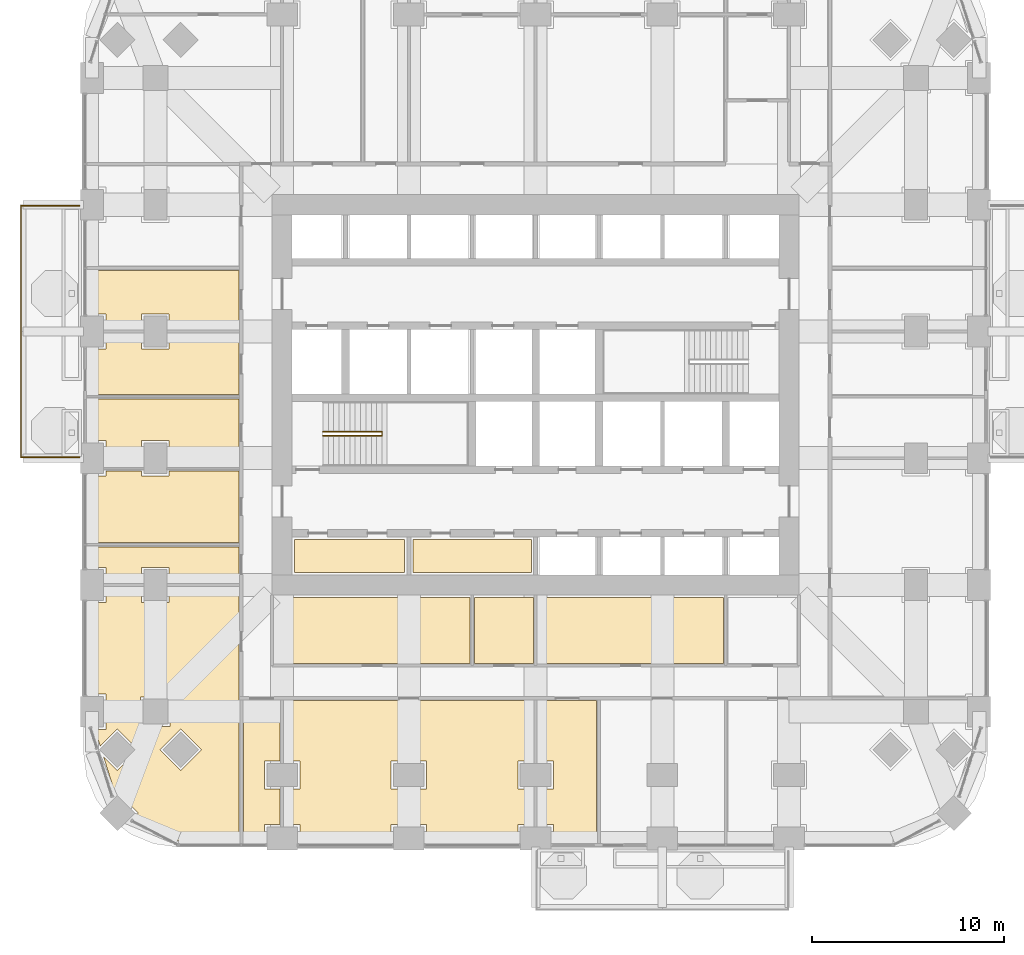
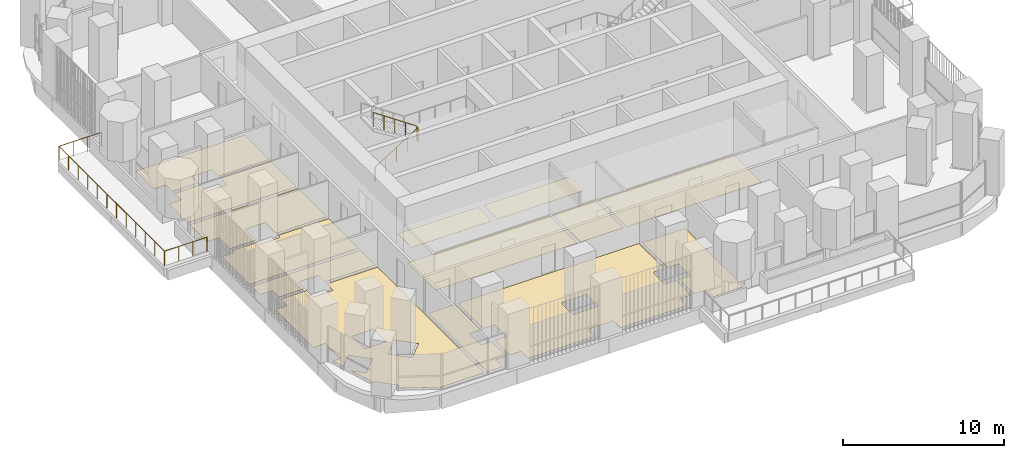
# One storey, part 19 of 23: 14 coverings, 2 railings.
"""IFC4 building model written with IfcOpenShell, lengths in metres."""

from ifc_helpers import new_model, si_unit, direction, frame, origin, place, context, subcontext, project, spatial, polyline, outline, extrude, material, layer, layer_set, type_object, element, save


model = new_model("IFC4")

# Units and contexts
model_context = context("Model", 3, precision=1e-05, world=origin(), true_north=direction((0.0, 1.0)))
body_context = subcontext(model_context, "Body", "Model", "MODEL_VIEW")
ifc_project = project(units=[si_unit("LENGTHUNIT", "METRE"), si_unit("AREAUNIT", "SQUARE_METRE"), si_unit("VOLUMEUNIT", "CUBIC_METRE"), si_unit("PLANEANGLEUNIT", "RADIAN"), si_unit("MASSUNIT", "GRAM", prefix="KILO")], contexts=[model_context])

# Site, building, storey
site_placement = place(None, origin())
site = spatial("IfcSite", under=ifc_project, at=site_placement, CompositionType="ELEMENT")
building_placement = place(site_placement, origin())
building = spatial("IfcBuilding", under=site, at=building_placement, Name="Cobogo Forest Laboratory Tower", CompositionType="ELEMENT")
storey_placement = place(building_placement, frame((0.0, 0.0, 103.199951171875)))
storey = spatial("IfcBuildingStorey", under=building, at=storey_placement, Name="L23", CompositionType="ELEMENT", Elevation=103.199951171875)

# Railing
ifc_material_1 = material(Name="Laminated glass balustrade", Category="glass")
railing_type_1 = type_object("IfcRailingType", Name="BG1 glass balustrade 1100", PredefinedType="GUARDRAIL", material=ifc_material_1)
railing_1_placement = place(storey_placement, frame((2.64990234375, 19.85009765625, 0.0)))
element("IfcRailing", 1, at=railing_1_placement, inside=storey, type_object=railing_type_1, Name="Balcony balustrade BAL-W1 L23", PredefinedType="GUARDRAIL", context=body_context, shape_type="SweptSolid", body=[
    extrude(outline(polyline([(0.022216796875, 0.00927734375), (0.00927734375, 0.022216796875), (-0.00927734375, 0.022216796875), (-0.022216796875, 0.00927734375), (-0.022216796875, -0.00927734375), (-0.00927734375, -0.022216796875), (0.00927734375, -0.022216796875), (0.022216796875, -0.00927734375), (0.022216796875, 0.00927734375)])), frame((0.0, 0.0, 1.077880859375), z_axis=(-1.0, 0.0, 0.0), x_axis=(0.0, -1.0, 0.0)), (0.0, 0.0, 1.0), 3.0498046875),
    extrude(outline(polyline([(0.022216796875, 0.00927734375), (0.00927734375, 0.022216796875), (-0.00927734375, 0.022216796875), (-0.022216796875, 0.00927734375), (-0.022216796875, -0.00927734375), (-0.00927734375, -0.022216796875), (0.00927734375, -0.022216796875), (0.022216796875, -0.00927734375), (0.022216796875, 0.00927734375)])), frame((-3.0498046875, 0.0, 1.077880859375), z_axis=(0.0, 1.0, 0.0), x_axis=(-1.0, 0.0, 0.0)), (0.0, 0.0, 1.0), 13.099853515625),
    extrude(outline(polyline([(0.022216796875, 0.00927734375), (0.00927734375, 0.022216796875), (-0.00927734375, 0.022216796875), (-0.022216796875, 0.00927734375), (-0.022216796875, -0.00927734375), (-0.00927734375, -0.022216796875), (0.00927734375, -0.022216796875), (0.022216796875, -0.00927734375), (0.022216796875, 0.00927734375)])), frame((-3.0498046875, 13.099853515625, 1.077880859375), z_axis=(1.0, 0.0, 0.0), x_axis=(0.0, 1.0, 0.0)), (0.0, 0.0, 1.0), 3.0498046875),
    extrude(outline(polyline([(0.019287109375, 0.008056640625), (0.008056640625, 0.019287109375), (-0.008056640625, 0.019287109375), (-0.019287109375, 0.008056640625), (-0.019287109375, -0.008056640625), (-0.008056640625, -0.019287109375), (0.008056640625, -0.019287109375), (0.019287109375, -0.008056640625), (0.019287109375, 0.008056640625)])), origin(), (0.0, 0.0, 1.0), 1.077880859375),
    extrude(outline(polyline([(0.019287109375, 0.008056640625), (0.008056640625, 0.019287109375), (-0.008056640625, 0.019287109375), (-0.019287109375, 0.008056640625), (-0.019287109375, -0.008056640625), (-0.008056640625, -0.019287109375), (0.008056640625, -0.019287109375), (0.019287109375, -0.008056640625), (0.019287109375, 0.008056640625)])), frame((-1.0166015625, 0.0, 0.0)), (0.0, 0.0, 1.0), 1.077880859375),
    extrude(outline(polyline([(0.019287109375, 0.008056640625), (0.008056640625, 0.019287109375), (-0.008056640625, 0.019287109375), (-0.019287109375, 0.008056640625), (-0.019287109375, -0.008056640625), (-0.008056640625, -0.019287109375), (0.008056640625, -0.019287109375), (0.019287109375, -0.008056640625), (0.019287109375, 0.008056640625)])), frame((-2.033203125, 0.0, 0.0)), (0.0, 0.0, 1.0), 1.077880859375),
    extrude(outline(polyline([(0.019287109375, 0.008056640625), (0.008056640625, 0.019287109375), (-0.008056640625, 0.019287109375), (-0.019287109375, 0.008056640625), (-0.019287109375, -0.008056640625), (-0.008056640625, -0.019287109375), (0.008056640625, -0.019287109375), (0.019287109375, -0.008056640625), (0.019287109375, 0.008056640625)])), frame((-3.0498046875, 0.0, 0.0)), (0.0, 0.0, 1.0), 1.077880859375),
    extrude(outline(polyline([(0.019287109375, 0.008056640625), (0.008056640625, 0.019287109375), (-0.008056640625, 0.019287109375), (-0.019287109375, 0.008056640625), (-0.019287109375, -0.008056640625), (-0.008056640625, -0.019287109375), (0.008056640625, -0.019287109375), (0.019287109375, -0.008056640625), (0.019287109375, 0.008056640625)])), frame((-3.0498046875, 1.19091796875, 0.0)), (0.0, 0.0, 1.0), 1.077880859375),
    extrude(outline(polyline([(0.019287109375, 0.008056640625), (0.008056640625, 0.019287109375), (-0.008056640625, 0.019287109375), (-0.019287109375, 0.008056640625), (-0.019287109375, -0.008056640625), (-0.008056640625, -0.019287109375), (0.008056640625, -0.019287109375), (0.019287109375, -0.008056640625), (0.019287109375, 0.008056640625)])), frame((-3.0498046875, 2.3818359375, 0.0)), (0.0, 0.0, 1.0), 1.077880859375),
    extrude(outline(polyline([(0.019287109375, 0.008056640625), (0.008056640625, 0.019287109375), (-0.008056640625, 0.019287109375), (-0.019287109375, 0.008056640625), (-0.019287109375, -0.008056640625), (-0.008056640625, -0.019287109375), (0.008056640625, -0.019287109375), (0.019287109375, -0.008056640625), (0.019287109375, 0.008056640625)])), frame((-3.0498046875, 3.57275390625, 0.0)), (0.0, 0.0, 1.0), 1.077880859375),
    extrude(outline(polyline([(0.019287109375, 0.008056640625), (0.008056640625, 0.019287109375), (-0.008056640625, 0.019287109375), (-0.019287109375, 0.008056640625), (-0.019287109375, -0.008056640625), (-0.008056640625, -0.019287109375), (0.008056640625, -0.019287109375), (0.019287109375, -0.008056640625), (0.019287109375, 0.008056640625)])), frame((-3.0498046875, 4.763671875, 0.0)), (0.0, 0.0, 1.0), 1.077880859375),
    extrude(outline(polyline([(0.019287109375, 0.008056640625), (0.008056640625, 0.019287109375), (-0.008056640625, 0.019287109375), (-0.019287109375, 0.008056640625), (-0.019287109375, -0.008056640625), (-0.008056640625, -0.019287109375), (0.008056640625, -0.019287109375), (0.019287109375, -0.008056640625), (0.019287109375, 0.008056640625)])), frame((-3.0498046875, 5.95458984375, 0.0)), (0.0, 0.0, 1.0), 1.077880859375),
    extrude(outline(polyline([(0.019287109375, 0.008056640625), (0.008056640625, 0.019287109375), (-0.008056640625, 0.019287109375), (-0.019287109375, 0.008056640625), (-0.019287109375, -0.008056640625), (-0.008056640625, -0.019287109375), (0.008056640625, -0.019287109375), (0.019287109375, -0.008056640625), (0.019287109375, 0.008056640625)])), frame((-3.0498046875, 7.145263671875, 0.0)), (0.0, 0.0, 1.0), 1.077880859375),
    extrude(outline(polyline([(0.019287109375, 0.008056640625), (0.008056640625, 0.019287109375), (-0.008056640625, 0.019287109375), (-0.019287109375, 0.008056640625), (-0.019287109375, -0.008056640625), (-0.008056640625, -0.019287109375), (0.008056640625, -0.019287109375), (0.019287109375, -0.008056640625), (0.019287109375, 0.008056640625)])), frame((-3.0498046875, 8.336181640625, 0.0)), (0.0, 0.0, 1.0), 1.077880859375),
    extrude(outline(polyline([(0.019287109375, 0.008056640625), (0.008056640625, 0.019287109375), (-0.008056640625, 0.019287109375), (-0.019287109375, 0.008056640625), (-0.019287109375, -0.008056640625), (-0.008056640625, -0.019287109375), (0.008056640625, -0.019287109375), (0.019287109375, -0.008056640625), (0.019287109375, 0.008056640625)])), frame((-3.0498046875, 9.527099609375, 0.0)), (0.0, 0.0, 1.0), 1.077880859375),
    extrude(outline(polyline([(0.019287109375, 0.008056640625), (0.008056640625, 0.019287109375), (-0.008056640625, 0.019287109375), (-0.019287109375, 0.008056640625), (-0.019287109375, -0.008056640625), (-0.008056640625, -0.019287109375), (0.008056640625, -0.019287109375), (0.019287109375, -0.008056640625), (0.019287109375, 0.008056640625)])), frame((-3.0498046875, 10.718017578125, 0.0)), (0.0, 0.0, 1.0), 1.077880859375),
    extrude(outline(polyline([(0.019287109375, 0.008056640625), (0.008056640625, 0.019287109375), (-0.008056640625, 0.019287109375), (-0.019287109375, 0.008056640625), (-0.019287109375, -0.008056640625), (-0.008056640625, -0.019287109375), (0.008056640625, -0.019287109375), (0.019287109375, -0.008056640625), (0.019287109375, 0.008056640625)])), frame((-3.0498046875, 11.908935546875, 0.0)), (0.0, 0.0, 1.0), 1.077880859375),
    extrude(outline(polyline([(0.019287109375, 0.008056640625), (0.008056640625, 0.019287109375), (-0.008056640625, 0.019287109375), (-0.019287109375, 0.008056640625), (-0.019287109375, -0.008056640625), (-0.008056640625, -0.019287109375), (0.008056640625, -0.019287109375), (0.019287109375, -0.008056640625), (0.019287109375, 0.008056640625)])), frame((-3.0498046875, 13.099853515625, 0.0)), (0.0, 0.0, 1.0), 1.077880859375),
    extrude(outline(polyline([(0.019287109375, 0.008056640625), (0.008056640625, 0.019287109375), (-0.008056640625, 0.019287109375), (-0.019287109375, 0.008056640625), (-0.019287109375, -0.008056640625), (-0.008056640625, -0.019287109375), (0.008056640625, -0.019287109375), (0.019287109375, -0.008056640625), (0.019287109375, 0.008056640625)])), frame((-2.033203125, 13.099853515625, 0.0)), (0.0, 0.0, 1.0), 1.077880859375),
    extrude(outline(polyline([(0.019287109375, 0.008056640625), (0.008056640625, 0.019287109375), (-0.008056640625, 0.019287109375), (-0.019287109375, 0.008056640625), (-0.019287109375, -0.008056640625), (-0.008056640625, -0.019287109375), (0.008056640625, -0.019287109375), (0.019287109375, -0.008056640625), (0.019287109375, 0.008056640625)])), frame((-1.0166015625, 13.099853515625, 0.0)), (0.0, 0.0, 1.0), 1.077880859375),
    extrude(outline(polyline([(0.019287109375, 0.008056640625), (0.008056640625, 0.019287109375), (-0.008056640625, 0.019287109375), (-0.019287109375, 0.008056640625), (-0.019287109375, -0.008056640625), (-0.008056640625, -0.019287109375), (0.008056640625, -0.019287109375), (0.019287109375, -0.008056640625), (0.019287109375, 0.008056640625)])), frame((0.0, 13.099853515625, 0.0)), (0.0, 0.0, 1.0), 1.077880859375),
])

# Coverings
ifc_material_2 = material(Name="Carpet tile on raised access floor", Category="flooring")
ifc_layer_1 = layer(ifc_material_2, 0.008056640625)
ifc_layer_set_1 = layer_set([ifc_layer_1], Name="CT1 carpet tile floor 8")
covering_type_1 = type_object("IfcCoveringType", Name="CT1 carpet tile floor 8", PredefinedType="FLOORING", material=ifc_layer_set_1)
covering_1_placement = place(storey_placement, origin())
element("IfcCovering", 2, at=covering_1_placement, inside=storey, type_object=covering_type_1, Name="Carpet floor L23-26", PredefinedType="FLOORING", context=body_context, shape_type="SweptSolid", body=[
    extrude(outline(polyline([(3.904052734375, 4.2431640625), (4.617919921875, 3.529052734375), (5.70703125, 4.617919921875), (4.617919921875, 5.70703125), (3.72412109375, 4.81298828125), (3.4501953125, 5.679931640625), (4.02001953125, 5.679931640625), (4.02001953125, 7.52001953125), (3.14990234375, 7.52001953125), (3.14990234375, 12.280029296875), (4.02001953125, 12.280029296875), (4.02001953125, 13.080078125), (5.8798828125, 13.080078125), (5.8798828125, 12.280029296875), (7.320068359375, 12.280029296875), (7.320068359375, 13.080078125), (10.955078125, 13.080078125), (10.955078125, -0.14990234375), (7.84912109375, -0.14990234375), (5.480712890625, 1.091552734375), (5.70703125, 1.318115234375), (4.617919921875, 2.406982421875), (4.51611328125, 2.304931640625), (3.904052734375, 4.2431640625)]), holes=[polyline([(6.8291015625, 4.617919921875), (7.91796875, 3.529052734375), (9.007080078125, 4.617919921875), (7.91796875, 5.70703125), (6.8291015625, 4.617919921875)]), polyline([(5.830078125, 7.3701171875), (5.830078125, 5.830078125), (7.3701171875, 5.830078125), (7.3701171875, 7.3701171875), (5.830078125, 7.3701171875)])]), origin(), (0.0, 0.0, 1.0), 0.008056640625),
])
covering_2_placement = place(storey_placement, origin())
element("IfcCovering", 3, at=covering_2_placement, inside=storey, type_object=covering_type_1, Name="Carpet floor L23-31", PredefinedType="FLOORING", context=body_context, shape_type="SweptSolid", body=[
    extrude(outline(polyline([(10.955078125, 26.52001953125), (7.320068359375, 26.52001953125), (7.320068359375, 27.320068359375), (5.8798828125, 27.320068359375), (5.8798828125, 26.52001953125), (4.02001953125, 26.52001953125), (4.02001953125, 27.320068359375), (3.14990234375, 27.320068359375), (3.14990234375, 29.580078125), (10.955078125, 29.580078125), (10.955078125, 26.52001953125)])), origin(), (0.0, 0.0, 1.0), 0.008056640625),
])
covering_3_placement = place(storey_placement, origin())
element("IfcCovering", 4, at=covering_3_placement, inside=storey, type_object=covering_type_1, Name="Carpet floor L23-41", PredefinedType="FLOORING", context=body_context, shape_type="SweptSolid", body=[
    extrude(outline(polyline([(26.179931640625, 13.844970703125), (20.02001953125, 13.844970703125), (20.02001953125, 15.580078125), (26.179931640625, 15.580078125), (26.179931640625, 13.844970703125)])), origin(), (0.0, 0.0, 1.0), 0.008056640625),
])

# Railing
ifc_material_3 = material(Name="Steel balustrade", Category="steel")
railing_type_2 = type_object("IfcRailingType", Name="GR stair guard 1100", PredefinedType="GUARDRAIL", material=ifc_material_3)
railing_2_placement = place(storey_placement, frame((15.324951171875, 20.969970703125, 0.175048828125)))
element("IfcRailing", 5, at=railing_2_placement, inside=storey, type_object=railing_type_2, Name="Stair guard ST1 L23", PredefinedType="GUARDRAIL", context=body_context, shape_type="SweptSolid", body=[
    extrude(outline(polyline([(0.022216796875, 0.00927734375), (0.00927734375, 0.022216796875), (-0.00927734375, 0.022216796875), (-0.022216796875, 0.00927734375), (-0.022216796875, -0.00927734375), (-0.00927734375, -0.022216796875), (0.00927734375, -0.022216796875), (0.022216796875, -0.00927734375), (0.022216796875, 0.00927734375)])), frame((0.0, 0.0, 1.077880859375), z_axis=(0.847998304005, 0.0, 0.529998940003), x_axis=(0.0, 1.0, 0.0)), (0.0, 0.0, 1.0), 3.632080078125),
    extrude(outline(polyline([(0.022216796875, 0.00927734375), (0.00927734375, 0.022216796875), (-0.00927734375, 0.022216796875), (-0.022216796875, 0.00927734375), (-0.022216796875, -0.00927734375), (-0.00927734375, -0.022216796875), (0.00927734375, -0.022216796875), (0.022216796875, -0.00927734375), (0.022216796875, 0.00927734375)])), frame((3.080078125, 0.0, 3.0029296875), z_axis=(0.0, 1.0, 0.0), x_axis=(-1.0, 0.0, 0.0)), (0.0, 0.0, 1.0), 0.2099609375),
    extrude(outline(polyline([(0.022216796875, 0.00927734375), (0.00927734375, 0.022216796875), (-0.00927734375, 0.022216796875), (-0.022216796875, 0.00927734375), (-0.022216796875, -0.00927734375), (-0.00927734375, -0.022216796875), (0.00927734375, -0.022216796875), (0.022216796875, -0.00927734375), (0.022216796875, 0.00927734375)])), frame((3.080078125, 0.2099609375, 3.0029296875), z_axis=(-0.826252282691, 0.0, 0.563300244406), x_axis=(0.0, -1.0, 0.0)), (0.0, 0.0, 1.0), 3.727783203125),
    extrude(outline(polyline([(0.019287109375, 0.008056640625), (0.008056640625, 0.019287109375), (-0.008056640625, 0.019287109375), (-0.019287109375, 0.008056640625), (-0.019287109375, -0.008056640625), (-0.008056640625, -0.019287109375), (0.008056640625, -0.019287109375), (0.019287109375, -0.008056640625), (0.019287109375, 0.008056640625)])), origin(), (0.0, 0.0, 1.0), 1.077880859375),
    extrude(outline(polyline([(0.019287109375, 0.008056640625), (0.008056640625, 0.019287109375), (-0.008056640625, 0.019287109375), (-0.019287109375, 0.008056640625), (-0.019287109375, -0.008056640625), (-0.008056640625, -0.019287109375), (0.008056640625, -0.019287109375), (0.019287109375, -0.008056640625), (0.019287109375, 0.008056640625)])), frame((0.77001953125, 0.0, 0.481201171875)), (0.0, 0.0, 1.0), 1.077880859375),
    extrude(outline(polyline([(0.019287109375, 0.008056640625), (0.008056640625, 0.019287109375), (-0.008056640625, 0.019287109375), (-0.019287109375, 0.008056640625), (-0.019287109375, -0.008056640625), (-0.008056640625, -0.019287109375), (0.008056640625, -0.019287109375), (0.019287109375, -0.008056640625), (0.019287109375, 0.008056640625)])), frame((1.5400390625, 0.0, 0.96240234375)), (0.0, 0.0, 1.0), 1.077880859375),
    extrude(outline(polyline([(0.019287109375, 0.008056640625), (0.008056640625, 0.019287109375), (-0.008056640625, 0.019287109375), (-0.019287109375, 0.008056640625), (-0.019287109375, -0.008056640625), (-0.008056640625, -0.019287109375), (0.008056640625, -0.019287109375), (0.019287109375, -0.008056640625), (0.019287109375, 0.008056640625)])), frame((2.31005859375, 0.0, 1.44384765625)), (0.0, 0.0, 1.0), 1.077880859375),
    extrude(outline(polyline([(0.019287109375, 0.008056640625), (0.008056640625, 0.019287109375), (-0.008056640625, 0.019287109375), (-0.019287109375, 0.008056640625), (-0.019287109375, -0.008056640625), (-0.008056640625, -0.019287109375), (0.008056640625, -0.019287109375), (0.019287109375, -0.008056640625), (0.019287109375, 0.008056640625)])), frame((3.080078125, 0.0, 1.925048828125)), (0.0, 0.0, 1.0), 1.077880859375),
    extrude(outline(polyline([(0.019287109375, 0.008056640625), (0.008056640625, 0.019287109375), (-0.008056640625, 0.019287109375), (-0.019287109375, 0.008056640625), (-0.019287109375, -0.008056640625), (-0.008056640625, -0.019287109375), (0.008056640625, -0.019287109375), (0.019287109375, -0.008056640625), (0.019287109375, 0.008056640625)])), frame((3.080078125, 0.2099609375, 1.925048828125)), (0.0, 0.0, 1.0), 1.077880859375),
    extrude(outline(polyline([(0.019287109375, 0.008056640625), (0.008056640625, 0.019287109375), (-0.008056640625, 0.019287109375), (-0.019287109375, 0.008056640625), (-0.019287109375, -0.008056640625), (-0.008056640625, -0.019287109375), (0.008056640625, -0.019287109375), (0.019287109375, -0.008056640625), (0.019287109375, 0.008056640625)])), frame((2.31005859375, 0.2099609375, 2.449951171875)), (0.0, 0.0, 1.0), 1.077880859375),
    extrude(outline(polyline([(0.019287109375, 0.008056640625), (0.008056640625, 0.019287109375), (-0.008056640625, 0.019287109375), (-0.019287109375, 0.008056640625), (-0.019287109375, -0.008056640625), (-0.008056640625, -0.019287109375), (0.008056640625, -0.019287109375), (0.019287109375, -0.008056640625), (0.019287109375, 0.008056640625)])), frame((1.5400390625, 0.2099609375, 2.97509765625)), (0.0, 0.0, 1.0), 1.077880859375),
    extrude(outline(polyline([(0.019287109375, 0.008056640625), (0.008056640625, 0.019287109375), (-0.008056640625, 0.019287109375), (-0.019287109375, 0.008056640625), (-0.019287109375, -0.008056640625), (-0.008056640625, -0.019287109375), (0.008056640625, -0.019287109375), (0.019287109375, -0.008056640625), (0.019287109375, 0.008056640625)])), frame((0.77001953125, 0.2099609375, 3.5)), (0.0, 0.0, 1.0), 1.077880859375),
    extrude(outline(polyline([(0.019287109375, 0.008056640625), (0.008056640625, 0.019287109375), (-0.008056640625, 0.019287109375), (-0.019287109375, 0.008056640625), (-0.019287109375, -0.008056640625), (-0.008056640625, -0.019287109375), (0.008056640625, -0.019287109375), (0.019287109375, -0.008056640625), (0.019287109375, 0.008056640625)])), frame((0.0, 0.2099609375, 4.02490234375)), (0.0, 0.0, 1.0), 1.077880859375),
])

# Coverings
ifc_material_4 = material(Name="Epoxy resin flooring", Category="flooring")
ifc_layer_2 = layer(ifc_material_4, 0.00390625)
ifc_layer_set_2 = layer_set([ifc_layer_2], Name="LF1 epoxy laboratory floor 4")
covering_type_2 = type_object("IfcCoveringType", Name="LF1 epoxy laboratory floor 4", PredefinedType="FLOORING", material=ifc_layer_set_2)
covering_4_placement = place(storey_placement, origin())
element("IfcCovering", 6, at=covering_4_placement, inside=storey, type_object=covering_type_2, Name="Epoxy laboratory floor L23-01", PredefinedType="FLOORING", context=body_context, shape_type="SweptSolid", body=[
    extrude(outline(polyline([(22.97998046875, 9.1201171875), (12.794921875, 9.1201171875), (12.794921875, 12.554931640625), (22.97998046875, 12.554931640625), (22.97998046875, 9.1201171875)])), origin(), (0.0, 0.0, 1.0), 0.004150390625),
])
covering_5_placement = place(storey_placement, origin())
element("IfcCovering", 7, at=covering_5_placement, inside=storey, type_object=covering_type_2, Name="Epoxy laboratory floor L23-03", PredefinedType="FLOORING", context=body_context, shape_type="SweptSolid", body=[
    extrude(outline(polyline([(36.179931640625, 9.1201171875), (26.52001953125, 9.1201171875), (26.52001953125, 12.554931640625), (36.179931640625, 12.554931640625), (36.179931640625, 9.1201171875)])), origin(), (0.0, 0.0, 1.0), 0.004150390625),
])
covering_6_placement = place(storey_placement, origin())
element("IfcCovering", 8, at=covering_6_placement, inside=storey, type_object=covering_type_2, Name="Epoxy laboratory floor L23-05", PredefinedType="FLOORING", context=body_context, shape_type="SweptSolid", body=[
    extrude(outline(polyline([(13.080078125, 7.179931640625), (13.080078125, 4.02001953125), (12.280029296875, 4.02001953125), (12.280029296875, 2.580078125), (13.080078125, 2.580078125), (13.080078125, 0.719970703125), (12.280029296875, 0.719970703125), (12.280029296875, -0.14990234375), (11.195068359375, -0.14990234375), (11.195068359375, 7.179931640625), (13.080078125, 7.179931640625)])), origin(), (0.0, 0.0, 1.0), 0.004150390625),
])
covering_7_placement = place(storey_placement, origin())
element("IfcCovering", 9, at=covering_7_placement, inside=storey, type_object=covering_type_2, Name="Epoxy laboratory floor L23-06", PredefinedType="FLOORING", context=body_context, shape_type="SweptSolid", body=[
    extrude(outline(polyline([(26.280029296875, 7.179931640625), (26.280029296875, 4.02001953125), (25.47998046875, 4.02001953125), (25.47998046875, 2.580078125), (26.280029296875, 2.580078125), (26.280029296875, 0.719970703125), (25.47998046875, 0.719970703125), (25.47998046875, -0.14990234375), (20.719970703125, -0.14990234375), (20.719970703125, 0.719970703125), (18.8798828125, 0.719970703125), (18.8798828125, -0.14990234375), (14.1201171875, -0.14990234375), (14.1201171875, 0.719970703125), (13.320068359375, 0.719970703125), (13.320068359375, 2.580078125), (14.1201171875, 2.580078125), (14.1201171875, 4.02001953125), (13.320068359375, 4.02001953125), (13.320068359375, 7.179931640625), (26.280029296875, 7.179931640625)]), holes=[polyline([(18.8798828125, 4.02001953125), (18.8798828125, 2.580078125), (20.719970703125, 2.580078125), (20.719970703125, 4.02001953125), (18.8798828125, 4.02001953125)])]), origin(), (0.0, 0.0, 1.0), 0.004150390625),
])
covering_8_placement = place(storey_placement, origin())
element("IfcCovering", 10, at=covering_8_placement, inside=storey, type_object=covering_type_2, Name="Epoxy laboratory floor L23-07", PredefinedType="FLOORING", context=body_context, shape_type="SweptSolid", body=[
    extrude(outline(polyline([(29.580078125, 7.179931640625), (29.580078125, -0.14990234375), (27.320068359375, -0.14990234375), (27.320068359375, 0.719970703125), (26.52001953125, 0.719970703125), (26.52001953125, 2.580078125), (27.320068359375, 2.580078125), (27.320068359375, 4.02001953125), (26.52001953125, 4.02001953125), (26.52001953125, 7.179931640625), (29.580078125, 7.179931640625)])), origin(), (0.0, 0.0, 1.0), 0.004150390625),
])
ifc_material_5 = material(Name="Ceramic floor tile", Category="flooring")
ifc_layer_3 = layer(ifc_material_5, 0.010009765625)
ifc_layer_set_3 = layer_set([ifc_layer_3], Name="TF1 ceramic tile floor 10")
covering_type_3 = type_object("IfcCoveringType", Name="TF1 ceramic tile floor 10", PredefinedType="FLOORING", material=ifc_layer_set_3)
covering_9_placement = place(storey_placement, origin())
element("IfcCovering", 11, at=covering_9_placement, inside=storey, type_object=covering_type_3, Name="Tile floor L23-02", PredefinedType="FLOORING", context=body_context, shape_type="SweptSolid", body=[
    extrude(outline(polyline([(26.280029296875, 9.1201171875), (23.219970703125, 9.1201171875), (23.219970703125, 12.554931640625), (26.280029296875, 12.554931640625), (26.280029296875, 9.1201171875)])), origin(), (0.0, 0.0, 1.0), 0.010009765625),
])
covering_10_placement = place(storey_placement, origin())
element("IfcCovering", 12, at=covering_10_placement, inside=storey, type_object=covering_type_3, Name="Tile floor L23-27", PredefinedType="FLOORING", context=body_context, shape_type="SweptSolid", body=[
    extrude(outline(polyline([(10.955078125, 13.320068359375), (7.320068359375, 13.320068359375), (7.320068359375, 14.1201171875), (5.8798828125, 14.1201171875), (5.8798828125, 13.320068359375), (4.02001953125, 13.320068359375), (4.02001953125, 14.1201171875), (3.14990234375, 14.1201171875), (3.14990234375, 15.179931640625), (10.955078125, 15.179931640625), (10.955078125, 13.320068359375)])), origin(), (0.0, 0.0, 1.0), 0.010009765625),
])
covering_11_placement = place(storey_placement, origin())
element("IfcCovering", 13, at=covering_11_placement, inside=storey, type_object=covering_type_3, Name="Tile floor L23-28", PredefinedType="FLOORING", context=body_context, shape_type="SweptSolid", body=[
    extrude(outline(polyline([(10.955078125, 15.419921875), (3.14990234375, 15.419921875), (3.14990234375, 18.8798828125), (4.02001953125, 18.8798828125), (4.02001953125, 19.1298828125), (5.8798828125, 19.1298828125), (5.8798828125, 18.8798828125), (7.320068359375, 18.8798828125), (7.320068359375, 19.1298828125), (10.955078125, 19.1298828125), (10.955078125, 15.419921875)])), origin(), (0.0, 0.0, 1.0), 0.010009765625),
])
covering_12_placement = place(storey_placement, origin())
element("IfcCovering", 14, at=covering_12_placement, inside=storey, type_object=covering_type_3, Name="Tile floor L23-29", PredefinedType="FLOORING", context=body_context, shape_type="SweptSolid", body=[
    extrude(outline(polyline([(10.955078125, 19.3701171875), (7.320068359375, 19.3701171875), (7.320068359375, 20.719970703125), (5.8798828125, 20.719970703125), (5.8798828125, 19.3701171875), (4.02001953125, 19.3701171875), (4.02001953125, 20.719970703125), (3.14990234375, 20.719970703125), (3.14990234375, 22.8798828125), (10.955078125, 22.8798828125), (10.955078125, 19.3701171875)])), origin(), (0.0, 0.0, 1.0), 0.010009765625),
])
covering_13_placement = place(storey_placement, origin())
element("IfcCovering", 15, at=covering_13_placement, inside=storey, type_object=covering_type_3, Name="Tile floor L23-30", PredefinedType="FLOORING", context=body_context, shape_type="SweptSolid", body=[
    extrude(outline(polyline([(10.955078125, 23.1201171875), (3.14990234375, 23.1201171875), (3.14990234375, 25.47998046875), (4.02001953125, 25.47998046875), (4.02001953125, 26.280029296875), (5.8798828125, 26.280029296875), (5.8798828125, 25.47998046875), (7.320068359375, 25.47998046875), (7.320068359375, 26.280029296875), (10.955078125, 26.280029296875), (10.955078125, 23.1201171875)])), origin(), (0.0, 0.0, 1.0), 0.010009765625),
])
covering_14_placement = place(storey_placement, origin())
element("IfcCovering", 16, at=covering_14_placement, inside=storey, type_object=covering_type_3, Name="Tile floor L23-40", PredefinedType="FLOORING", context=body_context, shape_type="SweptSolid", body=[
    extrude(outline(polyline([(19.580078125, 13.844970703125), (13.844970703125, 13.844970703125), (13.844970703125, 15.580078125), (19.580078125, 15.580078125), (19.580078125, 13.844970703125)])), origin(), (0.0, 0.0, 1.0), 0.010009765625),
])

save(model, "model.ifc")
